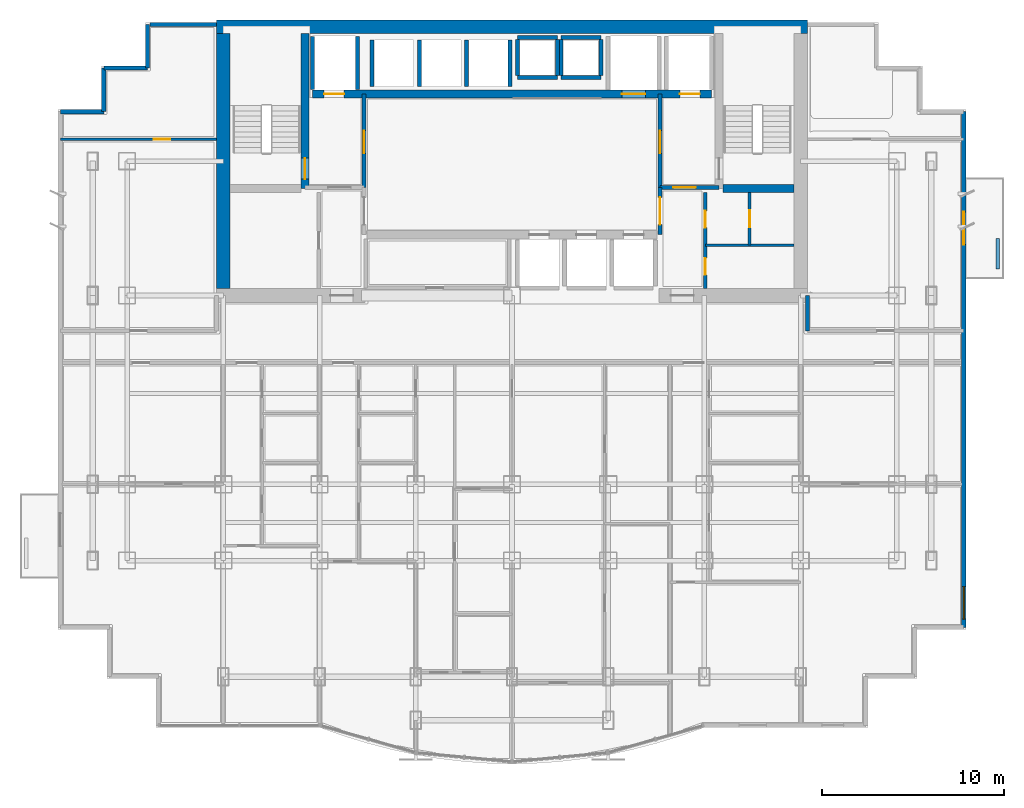
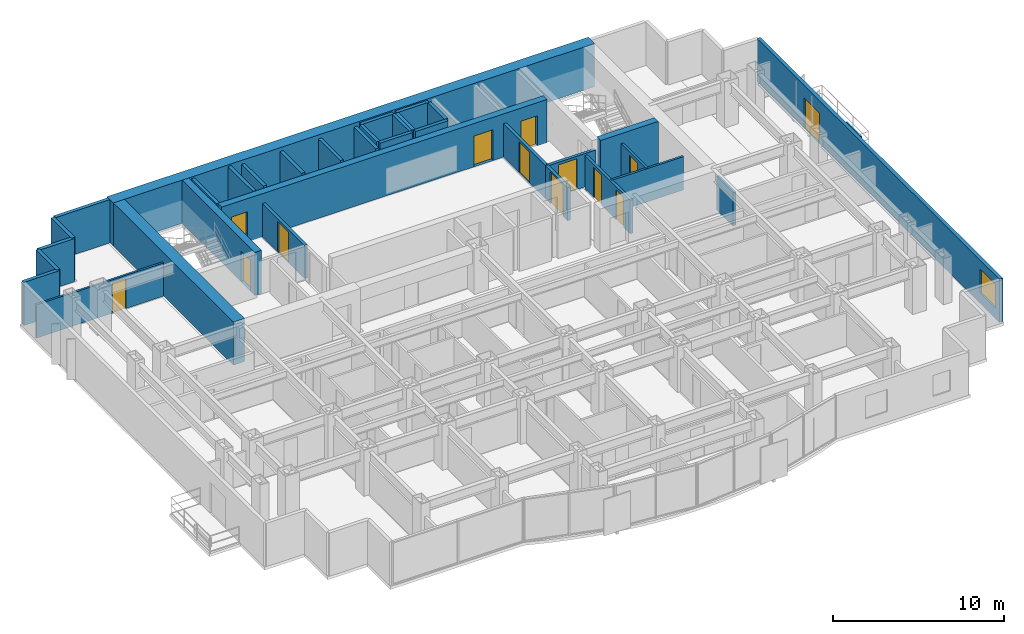
# One storey, part 7 of 10: 35 walls, 13 doors, 1 window, 14 openings.
"""IFC4 building model written with IfcOpenShell, lengths in metres."""

from ifc_helpers import new_model, si_unit, direction, frame, frame_2d, origin, place, context, subcontext, project, spatial, rectangle, extrude, material, layer, layer_set, type_object, element, fill, save


model = new_model("IFC4")

# Units and contexts
model_context = context("Model", 3, precision=1e-05, world=origin(), true_north=direction((0.0, 1.0)))
body_context = subcontext(model_context, "Body", "Model", "MODEL_VIEW")
ifc_project = project(units=[si_unit("LENGTHUNIT", "METRE"), si_unit("AREAUNIT", "SQUARE_METRE"), si_unit("VOLUMEUNIT", "CUBIC_METRE"), si_unit("PLANEANGLEUNIT", "RADIAN"), si_unit("MASSUNIT", "GRAM", prefix="KILO")], contexts=[model_context])

# Site, building, storey
site_placement = place(None, origin())
site = spatial("IfcSite", under=ifc_project, at=site_placement, CompositionType="ELEMENT")
building_placement = place(site_placement, origin())
building = spatial("IfcBuilding", under=site, at=building_placement, Name="Qianlan Lanfeng Residences", CompositionType="ELEMENT")
storey_placement = place(building_placement, frame((0.0, 0.0, 118.0)))
storey = spatial("IfcBuildingStorey", under=building, at=storey_placement, Name="L32", CompositionType="ELEMENT", Elevation=118.0)

# Wall, opening, door
ifc_material_1 = material(Name="Concrete C60", Category="concrete")
ifc_layer_1 = layer(ifc_material_1, 0.449951171875)
ifc_layer_set_1 = layer_set([ifc_layer_1], Name="Concrete C60")
wall_type_1 = type_object("IfcWallType", Name="CW-RC-450", PredefinedType="SHEAR", material=ifc_layer_set_1)
wall_1_placement = place(storey_placement, frame((15.10009765625, 31.10009765625, 0.0), z_axis=(0.0, 0.0, 1.0), x_axis=(0.0, 1.0, 0.0)))
wall_1 = element("IfcWall", 1, at=wall_1_placement, inside=storey, type_object=wall_type_1, Name="L32 Core Shear Wall ST1E", PredefinedType="SHEAR", context=body_context, shape_type="SweptSolid", body=[
    extrude(rectangle(XDim=8.52490234375, YDim=0.449951171875, at=frame_2d((4.262451171875, 0.0))), origin(), (0.0, 0.0, 1.0), 3.090087890625),
])
opening_1_placement = place(wall_1_placement, frame((0.510009765625, 0.0, 0.0)))
opening_1 = element("IfcOpeningElement", 2, at=opening_1_placement, cuts=wall_1, Name="Opening L32-D07", PredefinedType="OPENING", context=body_context, shape_type="SweptSolid", body=[
    extrude(rectangle(XDim=1.14990234375, YDim=2.199951171875, at=frame_2d((0.574951171875, 1.10009765625))), frame((0.0, 0.23486328125, 0.0), z_axis=(0.0, -1.0, 0.0), x_axis=(1.0, 0.0, 0.0)), (0.0, 0.0, 1.0), 0.469970703125),
])
ifc_material_2 = material(Name="Painted Galvanised Steel Fire Door", Category="steel")
door_type_1 = type_object("IfcDoorType", Name="DT-ST1", OperationType="NOTDEFINED", PredefinedType="DOOR", material=ifc_material_2)
door_1_placement = place(opening_1_placement, frame((1.14990234375, 0.0, 0.0), z_axis=(0.0, 0.0, 1.0), x_axis=(-1.0, 0.0, 0.0)))
door_1 = element("IfcDoor", 3, at=door_1_placement, inside=storey, type_object=door_type_1, Name="L32 Exit Stair ST-1 Door L32-D07 (DT-ST1)", OperationType="SINGLE_SWING_RIGHT", OverallHeight=2.199951171875, OverallWidth=1.14990234375, PredefinedType="DOOR", context=body_context, shape_type="SweptSolid", body=[
    extrude(rectangle(XDim=1.14990234375, YDim=2.199951171875, at=frame_2d((0.574951171875, 1.10009765625))), frame((0.0, 0.02490234375, 0.0), z_axis=(0.0, -1.0, 0.0), x_axis=(1.0, 0.0, 0.0)), (0.0, 0.0, 1.0), 0.050048828125),
])
fill(opening_1, door_1)

# Wall
wall_2_placement = place(storey_placement, frame((38.125, 31.10009765625, 0.0), z_axis=(0.0, 0.0, 1.0), x_axis=(1.0, 0.0, 0.0)))
element("IfcWall", 4, at=wall_2_placement, inside=storey, type_object=wall_type_1, Name="L32 Core Shear Wall ST2S", PredefinedType="SHEAR", context=body_context, shape_type="SweptSolid", body=[
    extrude(rectangle(XDim=3.89990234375, YDim=0.449951171875, at=frame_2d((1.949951171875, 0.0))), origin(), (0.0, 0.0, 1.0), 3.090087890625),
])

# Wall, openings, doors
wall_3_placement = place(storey_placement, frame((15.5, 36.300048828125, 0.0), z_axis=(0.0, 0.0, 1.0), x_axis=(1.0, 0.0, 0.0)))
wall_3 = element("IfcWall", 5, at=wall_3_placement, inside=storey, type_object=wall_type_1, Name="L32 Core Shear Wall LBN", PredefinedType="SHEAR", context=body_context, shape_type="SweptSolid", body=[
    extrude(rectangle(XDim=22.0, YDim=0.449951171875, at=frame_2d((11.0, 0.0))), origin(), (0.0, 0.0, 1.0), 3.090087890625),
])
opening_2_placement = place(wall_3_placement, frame((0.64990234375, 0.0, 0.0)))
opening_2 = element("IfcOpeningElement", 6, at=opening_2_placement, cuts=wall_3, Name="Opening L32-LD-FFL-1", PredefinedType="OPENING", context=body_context, shape_type="SweptSolid", body=[
    extrude(rectangle(XDim=1.10009765625, YDim=2.14990234375, at=frame_2d((0.550048828125, 1.074951171875))), frame((0.0, 0.23486328125, 0.0), z_axis=(0.0, -1.0, 0.0), x_axis=(1.0, 0.0, 0.0)), (0.0, 0.0, 1.0), 0.469970703125),
])
opening_3_placement = place(wall_3_placement, frame((20.25, 0.0, 0.0)))
opening_3 = element("IfcOpeningElement", 7, at=opening_3_placement, cuts=wall_3, Name="Opening L32-LD-FFL-2", PredefinedType="OPENING", context=body_context, shape_type="SweptSolid", body=[
    extrude(rectangle(XDim=1.10009765625, YDim=2.14990234375, at=frame_2d((0.550048828125, 1.074951171875))), frame((0.0, 0.23486328125, 0.0), z_axis=(0.0, -1.0, 0.0), x_axis=(1.0, 0.0, 0.0)), (0.0, 0.0, 1.0), 0.469970703125),
])
opening_4_placement = place(wall_3_placement, frame((17.050048828125, 0.0, 0.0)))
opening_4 = element("IfcOpeningElement", 8, at=opening_4_placement, cuts=wall_3, Name="Opening L32-LD-SVL-1", PredefinedType="OPENING", context=body_context, shape_type="SweptSolid", body=[
    extrude(rectangle(XDim=1.300048828125, YDim=2.199951171875, at=frame_2d((0.64990234375, 1.10009765625))), frame((0.0, 0.23486328125, 0.0), z_axis=(0.0, -1.0, 0.0), x_axis=(1.0, 0.0, 0.0)), (0.0, 0.0, 1.0), 0.469970703125),
])
ifc_material_3 = material(Name="Brushed Stainless Steel Sliding Lift Door", Category="steel")
door_type_2 = type_object("IfcDoorType", Name="LD-01", OperationType="NOTDEFINED", PredefinedType="DOOR", material=ifc_material_3)
door_2_placement = place(opening_2_placement, frame((1.10009765625, 0.0, 0.0), z_axis=(0.0, 0.0, 1.0), x_axis=(-1.0, 0.0, 0.0)))
door_2 = element("IfcDoor", 9, at=door_2_placement, inside=storey, type_object=door_type_2, Name="L32 Elevator FFL-1 Sliding Landing Door", OperationType="DOUBLE_DOOR_SLIDING", OverallHeight=2.14990234375, OverallWidth=1.10009765625, PredefinedType="DOOR", context=body_context, shape_type="SweptSolid", body=[
    extrude(rectangle(XDim=1.10009765625, YDim=2.14990234375, at=frame_2d((0.550048828125, 1.074951171875))), frame((0.0, 0.02490234375, 0.0), z_axis=(0.0, -1.0, 0.0), x_axis=(1.0, 0.0, 0.0)), (0.0, 0.0, 1.0), 0.050048828125),
])
fill(opening_2, door_2)
door_3_placement = place(opening_3_placement, frame((1.10009765625, 0.0, 0.0), z_axis=(0.0, 0.0, 1.0), x_axis=(-1.0, 0.0, 0.0)))
door_3 = element("IfcDoor", 10, at=door_3_placement, inside=storey, type_object=door_type_2, Name="L32 Elevator FFL-2 Sliding Landing Door", OperationType="DOUBLE_DOOR_SLIDING", OverallHeight=2.14990234375, OverallWidth=1.10009765625, PredefinedType="DOOR", context=body_context, shape_type="SweptSolid", body=[
    extrude(rectangle(XDim=1.10009765625, YDim=2.14990234375, at=frame_2d((0.550048828125, 1.074951171875))), frame((0.0, 0.02490234375, 0.0), z_axis=(0.0, -1.0, 0.0), x_axis=(1.0, 0.0, 0.0)), (0.0, 0.0, 1.0), 0.050048828125),
])
fill(opening_3, door_3)
door_type_3 = type_object("IfcDoorType", Name="LD-02", OperationType="NOTDEFINED", PredefinedType="DOOR", material=ifc_material_3)
door_4_placement = place(opening_4_placement, frame((1.300048828125, 0.0, 0.0), z_axis=(0.0, 0.0, 1.0), x_axis=(-1.0, 0.0, 0.0)))
door_4 = element("IfcDoor", 11, at=door_4_placement, inside=storey, type_object=door_type_3, Name="L32 Elevator SVL-1 Sliding Landing Door", OperationType="DOUBLE_DOOR_SLIDING", OverallHeight=2.199951171875, OverallWidth=1.300048828125, PredefinedType="DOOR", context=body_context, shape_type="SweptSolid", body=[
    extrude(rectangle(XDim=1.300048828125, YDim=2.199951171875, at=frame_2d((0.64990234375, 1.10009765625))), frame((0.0, 0.02490234375, 0.0), z_axis=(0.0, -1.0, 0.0), x_axis=(1.0, 0.0, 0.0)), (0.0, 0.0, 1.0), 0.050048828125),
])
fill(opening_4, door_4)

# Walls
ifc_layer_2 = layer(ifc_material_1, 0.75)
ifc_layer_set_2 = layer_set([ifc_layer_2], Name="Concrete C60")
wall_type_2 = type_object("IfcWallType", Name="CW-RC-750", PredefinedType="SHEAR", material=ifc_layer_set_2)
wall_4_placement = place(storey_placement, frame((10.22509765625, 40.0, 0.0), z_axis=(0.0, 0.0, 1.0), x_axis=(1.0, 0.0, 0.0)))
element("IfcWall", 12, at=wall_4_placement, inside=storey, type_object=wall_type_2, Name="L32 Core Shear Wall N", PredefinedType="SHEAR", context=body_context, shape_type="SweptSolid", body=[
    extrude(rectangle(XDim=32.5498046875, YDim=0.75, at=frame_2d((16.27490234375, 0.0))), origin(), (0.0, 0.0, 1.0), 3.090087890625),
])
wall_5_placement = place(storey_placement, frame((10.60009765625, 25.574951171875, 0.0), z_axis=(0.0, 0.0, 1.0), x_axis=(0.0, 1.0, 0.0)))
element("IfcWall", 13, at=wall_5_placement, inside=storey, type_object=wall_type_2, Name="L32 Core Shear Wall W", PredefinedType="SHEAR", context=body_context, shape_type="SweptSolid", body=[
    extrude(rectangle(XDim=14.050048828125, YDim=0.75, at=frame_2d((7.02490234375, 0.0))), origin(), (0.0, 0.0, 1.0), 3.090087890625),
])

# Wall, openings, door, window
ifc_material_4 = material(Name="Concrete C42", Category="concrete")
ifc_layer_3 = layer(ifc_material_4, 0.239990234375)
ifc_layer_set_3 = layer_set([ifc_layer_3], Name="Concrete C42")
wall_type_3 = type_object("IfcWallType", Name="EW-240", PredefinedType="SOLIDWALL", material=ifc_layer_set_3)
wall_6_placement = place(storey_placement, frame((51.3798828125, 6.919921875, 0.0), z_axis=(0.0, 0.0, 1.0), x_axis=(0.0, 1.0, 0.0)))
wall_6 = element("IfcWall", 14, at=wall_6_placement, inside=storey, type_object=wall_type_3, Name="L32 Terrace/Balcony Access Exterior Wall 10", PredefinedType="SOLIDWALL", context=body_context, shape_type="SweptSolid", body=[
    extrude(rectangle(XDim=28.41015625, YDim=0.239990234375, at=frame_2d((14.205078125, 0.0))), origin(), (0.0, 0.0, 1.0), 3.090087890625),
])
opening_5_placement = place(wall_6_placement, frame((21.080078125, 0.0, 0.0)))
opening_5 = element("IfcOpeningElement", 15, at=opening_5_placement, cuts=wall_6, Name="Opening L32-D-EB-N", PredefinedType="OPENING", context=body_context, shape_type="SweptSolid", body=[
    extrude(rectangle(XDim=1.800048828125, YDim=2.199951171875, at=frame_2d((0.89990234375, 1.10009765625))), frame((0.0, 0.1298828125, 0.0), z_axis=(0.0, -1.0, 0.0), x_axis=(1.0, 0.0, 0.0)), (0.0, 0.0, 1.0), 0.260009765625),
])
opening_6_placement = place(wall_6_placement, frame((0.449951171875, 0.0, 0.75)))
opening_6 = element("IfcOpeningElement", 16, at=opening_6_placement, cuts=wall_6, Name="Opening W-01", PredefinedType="OPENING", context=body_context, shape_type="SweptSolid", body=[
    extrude(rectangle(XDim=1.800048828125, YDim=1.699951171875, at=frame_2d((0.89990234375, 0.85009765625))), frame((0.0, 0.1298828125, 0.0), z_axis=(0.0, -1.0, 0.0), x_axis=(1.0, 0.0, 0.0)), (0.0, 0.0, 1.0), 0.260009765625),
])
ifc_material_5 = material(Name="Anodised Bronze Aluminium Framed Glass", Category="aluminium")
door_type_4 = type_object("IfcDoorType", Name="DT-BAL1", OperationType="NOTDEFINED", PredefinedType="DOOR", material=ifc_material_5)
door_5_placement = place(opening_5_placement, frame((1.800048828125, 0.0, 0.0), z_axis=(0.0, 0.0, 1.0), x_axis=(-1.0, 0.0, 0.0)))
door_5 = element("IfcDoor", 17, at=door_5_placement, inside=storey, type_object=door_type_4, Name="L32 Exterior Access Door EB-N", OperationType="DOUBLE_DOOR_SLIDING", OverallHeight=2.199951171875, OverallWidth=1.800048828125, PredefinedType="DOOR", context=body_context, shape_type="SweptSolid", body=[
    extrude(rectangle(XDim=1.800048828125, YDim=2.199951171875, at=frame_2d((0.89990234375, 1.10009765625))), frame((0.0, 0.02490234375, 0.0), z_axis=(0.0, -1.0, 0.0), x_axis=(1.0, 0.0, 0.0)), (0.0, 0.0, 1.0), 0.050048828125),
])
fill(opening_5, door_5)
ifc_material_6 = material(Name="Anodised Bronze Aluminium Framed Double Glazing", Category="aluminium")
window_type = type_object("IfcWindowType", Name="W-01", PartitioningType="SINGLE_PANEL", PredefinedType="WINDOW", material=ifc_material_6)
window_placement = place(opening_6_placement, origin())
window = element("IfcWindow", 18, at=window_placement, inside=storey, type_object=window_type, Name="L32 Exterior Window W-01", OverallHeight=1.699951171875, OverallWidth=1.800048828125, PartitioningType="SINGLE_PANEL", PredefinedType="WINDOW", context=body_context, shape_type="SweptSolid", body=[
    extrude(rectangle(XDim=1.800048828125, YDim=1.699951171875, at=frame_2d((0.89990234375, 0.85009765625))), frame((0.0, 0.030029296875, 0.0), z_axis=(0.0, -1.0, 0.0), x_axis=(1.0, 0.0, 0.0)), (0.0, 0.0, 1.0), 0.06005859375),
])
fill(opening_6, window)

# Walls
wall_7_placement = place(storey_placement, frame((10.22509765625, 40.1298828125, 0.0), z_axis=(0.0, 0.0, 1.0), x_axis=(-1.0, 0.0, 0.0)))
element("IfcWall", 19, at=wall_7_placement, inside=storey, type_object=wall_type_3, Name="L32 North Wing Exterior Wall W", PredefinedType="SOLIDWALL", context=body_context, shape_type="SweptSolid", body=[
    extrude(rectangle(XDim=3.675048828125, YDim=0.239990234375, at=frame_2d((1.83740234375, 0.0))), origin(), (0.0, 0.0, 1.0), 3.090087890625),
])
for number, where, z_axis, x_axis, name in (
    (20, (6.419921875, 40.1298828125, 0.0), (0.0, 0.0, 1.0), (0.0, -1.0, 0.0), "L32 Exterior Facade Spandrel Wall 17"),
    (21, (6.419921875, 37.72998046875, 0.0), (0.0, 0.0, 1.0), (-1.0, 0.0, 0.0), "L32 Exterior Facade Spandrel Wall 18"),
    (22, (4.02001953125, 37.72998046875, 0.0), (0.0, 0.0, 1.0), (0.0, -1.0, 0.0), "L32 Exterior Facade Spandrel Wall 19"),
    (23, (4.02001953125, 35.330078125, 0.0), (0.0, 0.0, 1.0), (-1.0, 0.0, 0.0), "L32 Exterior Facade Spandrel Wall 20"),
):
    element("IfcWall", number, at=place(storey_placement, frame(where, z_axis=z_axis, x_axis=x_axis)), inside=storey, type_object=wall_type_3, Name=name, PredefinedType="SOLIDWALL", context=body_context, shape_type="SweptSolid", body=[
        extrude(rectangle(XDim=2.39990234375, YDim=0.239990234375, at=frame_2d((1.199951171875, 0.0))), origin(), (0.0, 0.0, 1.0), 3.090087890625),
    ])
ifc_layer_4 = layer(ifc_material_4, 0.199951171875)
ifc_layer_set_4 = layer_set([ifc_layer_4], Name="Concrete C42")
wall_type_4 = type_object("IfcWallType", Name="PL-TREE-200", PredefinedType="PARAPET", material=ifc_layer_set_4)
wall_8_placement = place(storey_placement, frame((53.25, 26.64990234375, 0.0), z_axis=(0.0, 0.0, 1.0), x_axis=(0.0, 1.0, 0.0)))
element("IfcWall", 24, at=wall_8_placement, inside=storey, type_object=wall_type_4, Name="L32 East Tree Planter Curb EB-N", PredefinedType="PARAPET", context=body_context, shape_type="SweptSolid", body=[
    extrude(rectangle(XDim=1.7001953125, YDim=0.199951171875, at=frame_2d((0.85009765625, 0.0))), origin(), (0.0, 0.0, 1.0), 0.64990234375),
])

# Wall, opening, door
ifc_material_7 = material(Name="Moisture-Resistant Gypsum Partition 135 mm")
ifc_layer_5 = layer(ifc_material_7, 0.135009765625)
ifc_layer_set_5 = layer_set([ifc_layer_5], Name="Moisture-Resistant Gypsum Partition 135 mm")
wall_type_5 = type_object("IfcWallType", Name="PW-135", PredefinedType="PARTITIONING", material=ifc_layer_set_5)
wall_9_placement = place(storey_placement, frame((1.6201171875, 33.800048828125, 0.0), z_axis=(0.0, 0.0, 1.0), x_axis=(1.0, 0.0, 0.0)))
wall_9 = element("IfcWall", 25, at=wall_9_placement, inside=storey, type_object=wall_type_5, Name="L32 WW North Wing Wall", PredefinedType="PARTITIONING", context=body_context, shape_type="SweptSolid", body=[
    extrude(rectangle(XDim=8.60498046875, YDim=0.135009765625, at=frame_2d((4.302490234375, 0.0))), origin(), (0.0, 0.0, 1.0), 2.3798828125),
])
opening_7_placement = place(wall_9_placement, frame((5.14306640625, 0.0, 0.0)))
opening_7 = element("IfcOpeningElement", 26, at=opening_7_placement, cuts=wall_9, Name="Opening L32-D44", PredefinedType="OPENING", context=body_context, shape_type="SweptSolid", body=[
    extrude(rectangle(XDim=0.919921875, YDim=2.14990234375, at=frame_2d((0.4599609375, 1.074951171875))), frame((0.0, 0.07763671875, 0.0), z_axis=(0.0, -1.0, 0.0), x_axis=(1.0, 0.0, 0.0)), (0.0, 0.0, 1.0), 0.155029296875),
])
ifc_material_8 = material(Name="Glazed Timber Kitchen/Study Door", Category="wood")
door_type_5 = type_object("IfcDoorType", Name="DT-INT", OperationType="NOTDEFINED", PredefinedType="DOOR", material=ifc_material_8)
door_6_placement = place(opening_7_placement, origin())
door_6 = element("IfcDoor", 27, at=door_6_placement, inside=storey, type_object=door_type_5, Name="L32 WW Inner Salon Door L32-D44 (DT-INT)", OperationType="SINGLE_SWING_RIGHT", OverallHeight=2.14990234375, OverallWidth=0.919921875, PredefinedType="DOOR", context=body_context, shape_type="SweptSolid", body=[
    extrude(rectangle(XDim=0.919921875, YDim=2.14990234375, at=frame_2d((0.4599609375, 1.074951171875))), frame((0.0, 0.02490234375, 0.0), z_axis=(0.0, -1.0, 0.0), x_axis=(1.0, 0.0, 0.0)), (0.0, 0.0, 1.0), 0.050048828125),
])
fill(opening_7, door_6)

# Wall
ifc_material_9 = material(Name="Acoustic Drywall Partition 150 mm")
ifc_layer_6 = layer(ifc_material_9, 0.14990234375)
ifc_layer_set_6 = layer_set([ifc_layer_6], Name="Acoustic Drywall Partition 150 mm")
wall_type_6 = type_object("IfcWallType", Name="PW-150", PredefinedType="PARTITIONING", material=ifc_layer_set_6)
wall_10_placement = place(storey_placement, frame((37.14990234375, 27.97509765625, 0.0), z_axis=(0.0, 0.0, 1.0), x_axis=(1.0, 0.0, 0.0)))
element("IfcWall", 28, at=wall_10_placement, inside=storey, type_object=wall_type_6, Name="L32 Core East H Split", PredefinedType="PARTITIONING", context=body_context, shape_type="SweptSolid", body=[
    extrude(rectangle(XDim=4.875, YDim=0.14990234375, at=frame_2d((2.4375, 0.0))), origin(), (0.0, 0.0, 1.0), 2.3798828125),
])

# Wall, opening, door
wall_11_placement = place(storey_placement, frame((39.5869140625, 27.97509765625, 0.0), z_axis=(0.0, 0.0, 1.0), x_axis=(0.0, 1.0, 0.0)))
wall_11 = element("IfcWall", 29, at=wall_11_placement, inside=storey, type_object=wall_type_6, Name="L32 Core East V Split", PredefinedType="PARTITIONING", context=body_context, shape_type="SweptSolid", body=[
    extrude(rectangle(XDim=2.89990234375, YDim=0.14990234375, at=frame_2d((1.449951171875, 0.0))), origin(), (0.0, 0.0, 1.0), 2.3798828125),
])
opening_8_placement = place(wall_11_placement, frame((0.989990234375, 0.0, 0.0)))
opening_8 = element("IfcOpeningElement", 30, at=opening_8_placement, cuts=wall_11, Name="Opening L32-D12", PredefinedType="OPENING", context=body_context, shape_type="SweptSolid", body=[
    extrude(rectangle(XDim=0.919921875, YDim=2.14990234375, at=frame_2d((0.4599609375, 1.074951171875))), frame((0.0, 0.0849609375, 0.0), z_axis=(0.0, -1.0, 0.0), x_axis=(1.0, 0.0, 0.0)), (0.0, 0.0, 1.0), 0.169921875),
])
door_7_placement = place(opening_8_placement, origin())
door_7 = element("IfcDoor", 31, at=door_7_placement, inside=storey, type_object=door_type_5, Name="L32 Inner Supply Closet Door L32-D12 (DT-INT)", OperationType="SINGLE_SWING_RIGHT", OverallHeight=2.14990234375, OverallWidth=0.919921875, PredefinedType="DOOR", context=body_context, shape_type="SweptSolid", body=[
    extrude(rectangle(XDim=0.919921875, YDim=2.14990234375, at=frame_2d((0.4599609375, 1.074951171875))), frame((0.0, 0.02490234375, 0.0), z_axis=(0.0, -1.0, 0.0), x_axis=(1.0, 0.0, 0.0)), (0.0, 0.0, 1.0), 0.050048828125),
])
fill(opening_8, door_7)

# Wall, openings, doors
ifc_material_10 = material(Name="Double-Layer Acoustic Gypsum Stud Wall 180 mm")
ifc_layer_7 = layer(ifc_material_10, 0.179931640625)
ifc_layer_set_7 = layer_set([ifc_layer_7], Name="Double-Layer Acoustic Gypsum Stud Wall 180 mm")
wall_type_7 = type_object("IfcWallType", Name="PW-180", PredefinedType="PARTITIONING", material=ifc_layer_set_7)
wall_12_placement = place(storey_placement, frame((37.14990234375, 25.574951171875, 0.0), z_axis=(0.0, 0.0, 1.0), x_axis=(0.0, 1.0, 0.0)))
wall_12 = element("IfcWall", 32, at=wall_12_placement, inside=storey, type_object=wall_type_7, Name="L32 Core East Service Room Wall", PredefinedType="PARTITIONING", context=body_context, shape_type="SweptSolid", body=[
    extrude(rectangle(XDim=5.300048828125, YDim=0.179931640625, at=frame_2d((2.64990234375, 0.0))), origin(), (0.0, 0.0, 1.0), 2.3798828125),
])
opening_9_placement = place(wall_12_placement, frame((0.764892578125, 0.0, 0.0)))
opening_9 = element("IfcOpeningElement", 33, at=opening_9_placement, cuts=wall_12, Name="Opening L32-D10", PredefinedType="OPENING", context=body_context, shape_type="SweptSolid", body=[
    extrude(rectangle(XDim=0.919921875, YDim=2.14990234375, at=frame_2d((0.4599609375, 1.074951171875))), frame((0.0, 0.10009765625, 0.0), z_axis=(0.0, -1.0, 0.0), x_axis=(1.0, 0.0, 0.0)), (0.0, 0.0, 1.0), 0.199951171875),
])
opening_10_placement = place(wall_12_placement, frame((3.364990234375, 0.0, 0.0)))
opening_10 = element("IfcOpeningElement", 34, at=opening_10_placement, cuts=wall_12, Name="Opening L32-D11", PredefinedType="OPENING", context=body_context, shape_type="SweptSolid", body=[
    extrude(rectangle(XDim=0.919921875, YDim=2.14990234375, at=frame_2d((0.4599609375, 1.074951171875))), frame((0.0, 0.10009765625, 0.0), z_axis=(0.0, -1.0, 0.0), x_axis=(1.0, 0.0, 0.0)), (0.0, 0.0, 1.0), 0.199951171875),
])
door_8_placement = place(opening_9_placement, origin())
door_8 = element("IfcDoor", 35, at=door_8_placement, inside=storey, type_object=door_type_5, Name="L32 Refuse Room Door L32-D10 (DT-INT)", OperationType="SINGLE_SWING_LEFT", OverallHeight=2.14990234375, OverallWidth=0.919921875, PredefinedType="DOOR", context=body_context, shape_type="SweptSolid", body=[
    extrude(rectangle(XDim=0.919921875, YDim=2.14990234375, at=frame_2d((0.4599609375, 1.074951171875))), frame((0.0, 0.02490234375, 0.0), z_axis=(0.0, -1.0, 0.0), x_axis=(1.0, 0.0, 0.0)), (0.0, 0.0, 1.0), 0.050048828125),
])
fill(opening_9, door_8)
door_9_placement = place(opening_10_placement, origin())
door_9 = element("IfcDoor", 36, at=door_9_placement, inside=storey, type_object=door_type_5, Name="L32 Janitor Outer Door L32-D11 (DT-INT)", OperationType="SINGLE_SWING_LEFT", OverallHeight=2.14990234375, OverallWidth=0.919921875, PredefinedType="DOOR", context=body_context, shape_type="SweptSolid", body=[
    extrude(rectangle(XDim=0.919921875, YDim=2.14990234375, at=frame_2d((0.4599609375, 1.074951171875))), frame((0.0, 0.02490234375, 0.0), z_axis=(0.0, -1.0, 0.0), x_axis=(1.0, 0.0, 0.0)), (0.0, 0.0, 1.0), 0.050048828125),
])
fill(opening_10, door_9)

# Wall, opening, door
ifc_material_11 = material(Name="Autoclaved Aerated Concrete Blockwork 200 mm", Category="masonry")
ifc_layer_8 = layer(ifc_material_11, 0.199951171875)
ifc_layer_set_8 = layer_set([ifc_layer_8], Name="Autoclaved Aerated Concrete Blockwork 200 mm")
wall_type_8 = type_object("IfcWallType", Name="PW-200", PredefinedType="PARTITIONING", material=ifc_layer_set_8)
wall_13_placement = place(storey_placement, frame((18.35009765625, 31.14990234375, 0.0), z_axis=(0.0, 0.0, 1.0), x_axis=(0.0, 1.0, 0.0)))
wall_13 = element("IfcWall", 37, at=wall_13_placement, inside=storey, type_object=wall_type_8, Name="L32 Firefighting Lobby 1 East Wall", PredefinedType="PARTITIONING", context=body_context, shape_type="SweptSolid", body=[
    extrude(rectangle(XDim=5.150146484375, YDim=0.199951171875, at=frame_2d((2.5751953125, 0.0))), origin(), (0.0, 0.0, 1.0), 2.3798828125),
])
opening_11_placement = place(wall_13_placement, frame((1.875, 0.0, 0.0)))
opening_11 = element("IfcOpeningElement", 38, at=opening_11_placement, cuts=wall_13, Name="Opening L32-D04", PredefinedType="OPENING", context=body_context, shape_type="SweptSolid", body=[
    extrude(rectangle(XDim=1.25, YDim=2.199951171875, at=frame_2d((0.625, 1.10009765625))), frame((0.0, 0.10986328125, 0.0), z_axis=(0.0, -1.0, 0.0), x_axis=(1.0, 0.0, 0.0)), (0.0, 0.0, 1.0), 0.219970703125),
])
door_type_6 = type_object("IfcDoorType", Name="DT-FFL", OperationType="NOTDEFINED", PredefinedType="DOOR", material=ifc_material_2)
door_10_placement = place(opening_11_placement, origin())
door_10 = element("IfcDoor", 39, at=door_10_placement, inside=storey, type_object=door_type_6, Name="L32 Firefighting Lobby 1 Lift Lobby Door L32-D04 (DT-FFL)", OperationType="SINGLE_SWING_RIGHT", OverallHeight=2.199951171875, OverallWidth=1.25, PredefinedType="DOOR", context=body_context, shape_type="SweptSolid", body=[
    extrude(rectangle(XDim=1.25, YDim=2.199951171875, at=frame_2d((0.625, 1.10009765625))), frame((0.0, 0.02490234375, 0.0), z_axis=(0.0, -1.0, 0.0), x_axis=(1.0, 0.0, 0.0)), (0.0, 0.0, 1.0), 0.050048828125),
])
fill(opening_11, door_10)

wall_14_placement = place(storey_placement, frame((34.64990234375, 31.14990234375, 0.0), z_axis=(0.0, 0.0, 1.0), x_axis=(1.0, 0.0, 0.0)))
wall_14 = element("IfcWall", 40, at=wall_14_placement, inside=storey, type_object=wall_type_8, Name="L32 Firefighting Lobby 2 South Wall", PredefinedType="PARTITIONING", context=body_context, shape_type="SweptSolid", body=[
    extrude(rectangle(XDim=3.25, YDim=0.199951171875, at=frame_2d((1.625, 0.0))), origin(), (0.0, 0.0, 1.0), 2.3798828125),
])
opening_12_placement = place(wall_14_placement, frame((0.72509765625, 0.0, 0.0)))
opening_12 = element("IfcOpeningElement", 41, at=opening_12_placement, cuts=wall_14, Name="Opening L32-D05", PredefinedType="OPENING", context=body_context, shape_type="SweptSolid", body=[
    extrude(rectangle(XDim=1.25, YDim=2.199951171875, at=frame_2d((0.625, 1.10009765625))), frame((0.0, 0.10986328125, 0.0), z_axis=(0.0, -1.0, 0.0), x_axis=(1.0, 0.0, 0.0)), (0.0, 0.0, 1.0), 0.219970703125),
])
door_11_placement = place(opening_12_placement, origin())
door_11 = element("IfcDoor", 42, at=door_11_placement, inside=storey, type_object=door_type_6, Name="L32 Firefighting Lobby 2 Entry Door L32-D05 (DT-FFL)", OperationType="SINGLE_SWING_RIGHT", OverallHeight=2.199951171875, OverallWidth=1.25, PredefinedType="DOOR", context=body_context, shape_type="SweptSolid", body=[
    extrude(rectangle(XDim=1.25, YDim=2.199951171875, at=frame_2d((0.625, 1.10009765625))), frame((0.0, 0.02490234375, 0.0), z_axis=(0.0, -1.0, 0.0), x_axis=(1.0, 0.0, 0.0)), (0.0, 0.0, 1.0), 0.050048828125),
])
fill(opening_12, door_11)

wall_15_placement = place(storey_placement, frame((34.64990234375, 31.14990234375, 0.0), z_axis=(0.0, 0.0, 1.0), x_axis=(0.0, 1.0, 0.0)))
wall_15 = element("IfcWall", 43, at=wall_15_placement, inside=storey, type_object=wall_type_8, Name="L32 Firefighting Lobby 2 West Wall", PredefinedType="PARTITIONING", context=body_context, shape_type="SweptSolid", body=[
    extrude(rectangle(XDim=5.150146484375, YDim=0.199951171875, at=frame_2d((2.5751953125, 0.0))), origin(), (0.0, 0.0, 1.0), 2.3798828125),
])
opening_13_placement = place(wall_15_placement, frame((1.875, 0.0, 0.0)))
opening_13 = element("IfcOpeningElement", 44, at=opening_13_placement, cuts=wall_15, Name="Opening L32-D06", PredefinedType="OPENING", context=body_context, shape_type="SweptSolid", body=[
    extrude(rectangle(XDim=1.25, YDim=2.199951171875, at=frame_2d((0.625, 1.10009765625))), frame((0.0, 0.10986328125, 0.0), z_axis=(0.0, -1.0, 0.0), x_axis=(1.0, 0.0, 0.0)), (0.0, 0.0, 1.0), 0.219970703125),
])
door_12_placement = place(opening_13_placement, origin())
door_12 = element("IfcDoor", 45, at=door_12_placement, inside=storey, type_object=door_type_6, Name="L32 Firefighting Lobby 2 Lift Lobby Door L32-D06 (DT-FFL)", OperationType="SINGLE_SWING_RIGHT", OverallHeight=2.199951171875, OverallWidth=1.25, PredefinedType="DOOR", context=body_context, shape_type="SweptSolid", body=[
    extrude(rectangle(XDim=1.25, YDim=2.199951171875, at=frame_2d((0.625, 1.10009765625))), frame((0.0, 0.02490234375, 0.0), z_axis=(0.0, -1.0, 0.0), x_axis=(1.0, 0.0, 0.0)), (0.0, 0.0, 1.0), 0.050048828125),
])
fill(opening_13, door_12)

wall_16_placement = place(storey_placement, frame((34.64990234375, 28.550048828125, 0.0), z_axis=(0.0, 0.0, 1.0), x_axis=(0.0, 1.0, 0.0)))
wall_16 = element("IfcWall", 46, at=wall_16_placement, inside=storey, type_object=wall_type_8, Name="L32 Lift Lobby East Connector Wall", PredefinedType="PARTITIONING", context=body_context, shape_type="SweptSolid", body=[
    extrude(rectangle(XDim=2.599853515625, YDim=0.199951171875, at=frame_2d((1.2998046875, 0.0))), origin(), (0.0, 0.0, 1.0), 2.3798828125),
])
opening_14_placement = place(wall_16_placement, frame((0.550048828125, 0.0, 0.0)))
opening_14 = element("IfcOpeningElement", 47, at=opening_14_placement, cuts=wall_16, Name="Opening L32-D14", PredefinedType="OPENING", context=body_context, shape_type="SweptSolid", body=[
    extrude(rectangle(XDim=1.5, YDim=2.25, at=frame_2d((0.75, 1.125))), frame((0.0, 0.10986328125, 0.0), z_axis=(0.0, -1.0, 0.0), x_axis=(1.0, 0.0, 0.0)), (0.0, 0.0, 1.0), 0.219970703125),
])
ifc_material_12 = material(Name="Timber Veneer Acoustic Fire Door", Category="wood")
door_type_7 = type_object("IfcDoorType", Name="DT-COR1", OperationType="NOTDEFINED", PredefinedType="DOOR", material=ifc_material_12)
door_13_placement = place(opening_14_placement, frame((1.5, 0.0, 0.0), z_axis=(0.0, 0.0, 1.0), x_axis=(-1.0, 0.0, 0.0)))
door_13 = element("IfcDoor", 48, at=door_13_placement, inside=storey, type_object=door_type_7, Name="L32 Lift Lobby East Portal Door L32-D14 (DT-COR1)", OperationType="DOUBLE_DOOR_SINGLE_SWING", OverallHeight=2.25, OverallWidth=1.5, PredefinedType="DOOR", context=body_context, shape_type="SweptSolid", body=[
    extrude(rectangle(XDim=1.5, YDim=2.25, at=frame_2d((0.75, 1.125))), frame((0.0, 0.02490234375, 0.0), z_axis=(0.0, -1.0, 0.0), x_axis=(1.0, 0.0, 0.0)), (0.0, 0.0, 1.0), 0.050048828125),
])
fill(opening_14, door_13)

# Walls
wall_17_placement = place(storey_placement, frame((42.77490234375, 23.25, 0.0), z_axis=(0.0, 0.0, 1.0), x_axis=(0.0, 1.0, 0.0)))
element("IfcWall", 49, at=wall_17_placement, inside=storey, type_object=wall_type_8, Name="L32 NE Wing Core Return Wall", PredefinedType="PARTITIONING", context=body_context, shape_type="SweptSolid", body=[
    extrude(rectangle(XDim=1.949951171875, YDim=0.199951171875, at=frame_2d((0.97509765625, 0.0))), origin(), (0.0, 0.0, 1.0), 2.3798828125),
])
ifc_material_13 = material(Name="Concrete C49", Category="concrete")
ifc_layer_9 = layer(ifc_material_13, 0.219970703125)
ifc_layer_set_9 = layer_set([ifc_layer_9], Name="Concrete C49")
wall_type_9 = type_object("IfcWallType", Name="SHW-220", PredefinedType="SOLIDWALL", material=ifc_layer_set_9)
for number, where, z_axis, x_axis, name in (
    (50, (15.52001953125, 36.550048828125, 0.0), (0.0, 0.0, 1.0), (0.0, 1.0, 0.0), "L32 Lift FFL-1 Shaft Wall W"),
    (51, (18.0, 36.550048828125, 0.0), (0.0, 0.0, 1.0), (0.0, 1.0, 0.0), "L32 Lift FFL-1 Shaft Wall E"),
):
    element("IfcWall", number, at=place(storey_placement, frame(where, z_axis=z_axis, x_axis=x_axis)), inside=storey, type_object=wall_type_9, Name=name, PredefinedType="SOLIDWALL", context=body_context, shape_type="SweptSolid", body=[
        extrude(rectangle(XDim=2.929931640625, YDim=0.219970703125, at=frame_2d((1.46484375, 0.0))), origin(), (0.0, 0.0, 1.0), 3.090087890625),
    ])
for number, where, z_axis, x_axis, name in (
    (52, (18.800048828125, 36.719970703125, 0.0), (0.0, 0.0, 1.0), (0.0, 1.0, 0.0), "L32 Lift PL-H1 Shaft Wall W"),
    (53, (21.39990234375, 36.719970703125, 0.0), (0.0, 0.0, 1.0), (0.0, 1.0, 0.0), "L32 Lift PL-H2 Shaft Wall W"),
    (54, (24.0, 36.719970703125, 0.0), (0.0, 0.0, 1.0), (0.0, 1.0, 0.0), "L32 Lift PL-H3 Shaft Wall W"),
    (55, (26.39990234375, 36.719970703125, 0.0), (0.0, 0.0, 1.0), (0.0, 1.0, 0.0), "L32 Lift PL-H3 Shaft Wall E"),
):
    element("IfcWall", number, at=place(storey_placement, frame(where, z_axis=z_axis, x_axis=x_axis)), inside=storey, type_object=wall_type_9, Name=name, PredefinedType="SOLIDWALL", context=body_context, shape_type="SweptSolid", body=[
        extrude(rectangle(XDim=2.56005859375, YDim=0.219970703125, at=frame_2d((1.280029296875, 0.0))), origin(), (0.0, 0.0, 1.0), 3.090087890625),
    ])
for number, where, z_axis, x_axis, name in (
    (56, (26.800048828125, 37.31005859375, 0.0), (0.0, 0.0, 1.0), (0.0, 1.0, 0.0), "L32 MEP Riser MEP-R1 Shaft Wall W"),
    (57, (29.0, 37.31005859375, 0.0), (0.0, 0.0, 1.0), (0.0, 1.0, 0.0), "L32 MEP Riser MEP-R1 Shaft Wall E"),
):
    element("IfcWall", number, at=place(storey_placement, frame(where, z_axis=z_axis, x_axis=x_axis)), inside=storey, type_object=wall_type_9, Name=name, PredefinedType="SOLIDWALL", context=body_context, shape_type="SweptSolid", body=[
        extrude(rectangle(XDim=1.97998046875, YDim=0.219970703125, at=frame_2d((0.989990234375, 0.0))), origin(), (0.0, 0.0, 1.0), 3.090087890625),
    ])
for number, where, z_axis, x_axis, name in (
    (58, (26.800048828125, 39.39990234375, 0.0), (0.0, 0.0, 1.0), (1.0, 0.0, 0.0), "L32 MEP Riser MEP-R1 Shaft Wall N"),
    (59, (26.800048828125, 37.199951171875, 0.0), (0.0, 0.0, 1.0), (1.0, 0.0, 0.0), "L32 MEP Riser MEP-R1 Shaft Wall S"),
):
    element("IfcWall", number, at=place(storey_placement, frame(where, z_axis=z_axis, x_axis=x_axis)), inside=storey, type_object=wall_type_9, Name=name, PredefinedType="SOLIDWALL", context=body_context, shape_type="SweptSolid", body=[
        extrude(rectangle(XDim=2.199951171875, YDim=0.219970703125, at=frame_2d((1.10009765625, 0.0))), origin(), (0.0, 0.0, 1.0), 3.090087890625),
    ])
for number, where, z_axis, x_axis, name in (
    (60, (29.199951171875, 37.31005859375, 0.0), (0.0, 0.0, 1.0), (0.0, 1.0, 0.0), "L32 MEP Riser MEP-R2 Shaft Wall W"),
    (61, (31.39990234375, 37.31005859375, 0.0), (0.0, 0.0, 1.0), (0.0, 1.0, 0.0), "L32 MEP Riser MEP-R2 Shaft Wall E"),
):
    element("IfcWall", number, at=place(storey_placement, frame(where, z_axis=z_axis, x_axis=x_axis)), inside=storey, type_object=wall_type_9, Name=name, PredefinedType="SOLIDWALL", context=body_context, shape_type="SweptSolid", body=[
        extrude(rectangle(XDim=1.97998046875, YDim=0.219970703125, at=frame_2d((0.989990234375, 0.0))), origin(), (0.0, 0.0, 1.0), 3.090087890625),
    ])
for number, where, z_axis, x_axis, name in (
    (62, (29.199951171875, 39.39990234375, 0.0), (0.0, 0.0, 1.0), (1.0, 0.0, 0.0), "L32 MEP Riser MEP-R2 Shaft Wall N"),
    (63, (29.199951171875, 37.199951171875, 0.0), (0.0, 0.0, 1.0), (1.0, 0.0, 0.0), "L32 MEP Riser MEP-R2 Shaft Wall S"),
):
    element("IfcWall", number, at=place(storey_placement, frame(where, z_axis=z_axis, x_axis=x_axis)), inside=storey, type_object=wall_type_9, Name=name, PredefinedType="SOLIDWALL", context=body_context, shape_type="SweptSolid", body=[
        extrude(rectangle(XDim=2.199951171875, YDim=0.219970703125, at=frame_2d((1.10009765625, 0.0))), origin(), (0.0, 0.0, 1.0), 3.090087890625),
    ])

save(model, "model.ifc")
